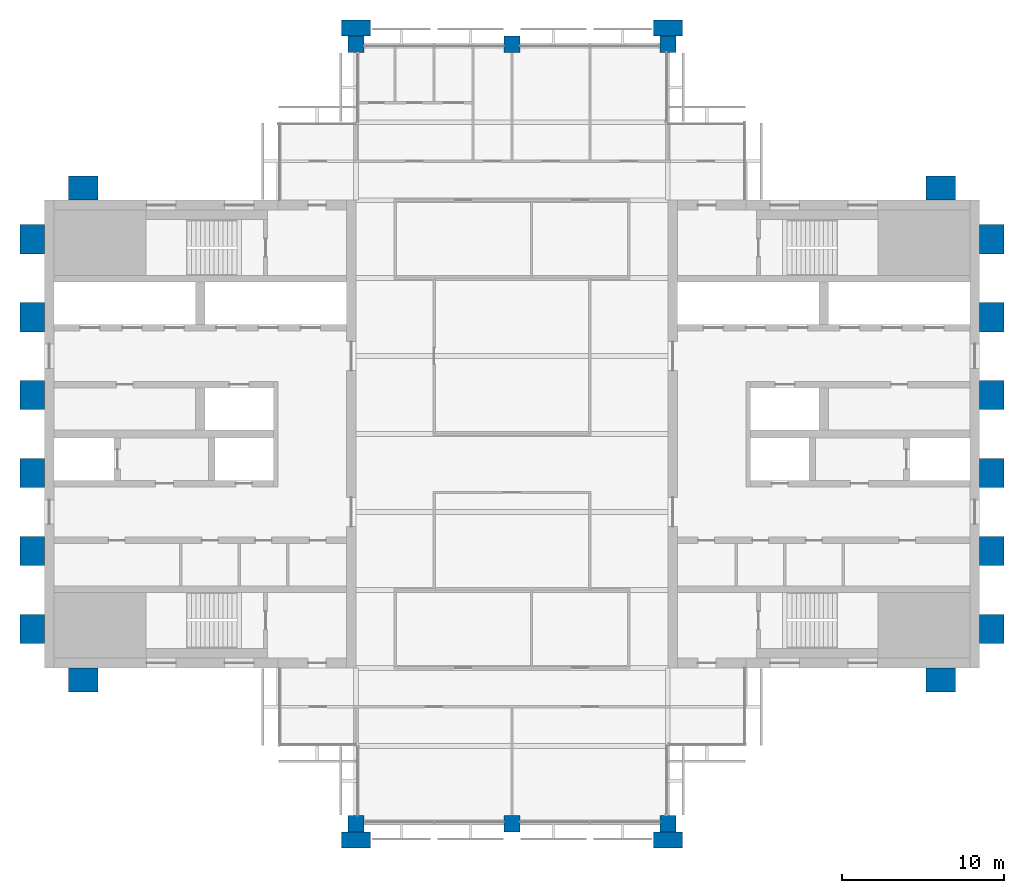
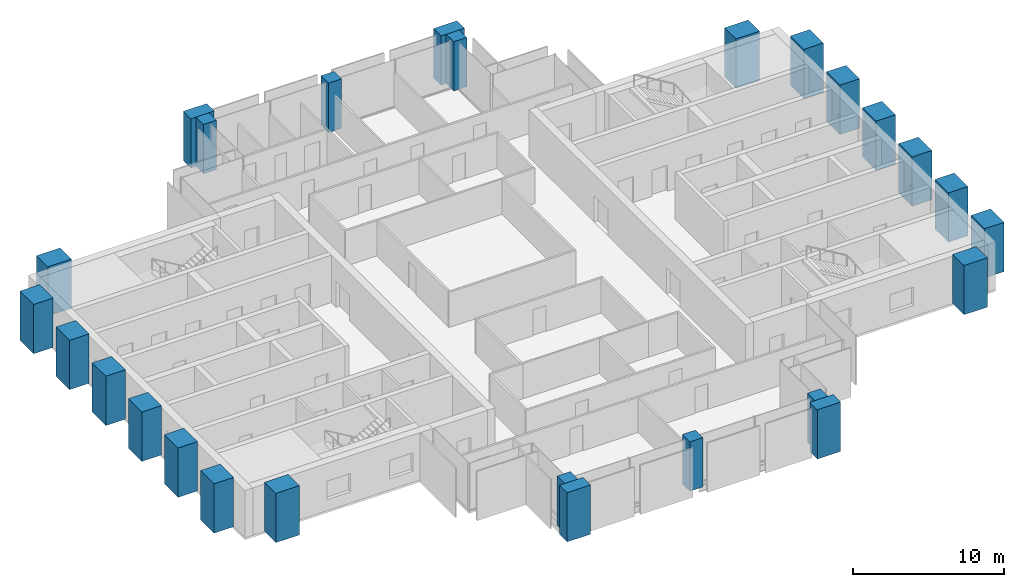
# One storey, part 1 of 13: 26 columns.
"""IFC4 building model written with IfcOpenShell, lengths in metres."""

from ifc_helpers import new_model, si_unit, direction, frame, origin, origin_2d, place, context, subcontext, project, spatial, rectangle, extrude, material, material_profile, profile_set, type_object, element, save


model = new_model("IFC4")

# Units and contexts
model_context = context("Model", 3, precision=1e-05, world=origin(), true_north=direction((0.0, 1.0)))
body_context = subcontext(model_context, "Body", "Model", "MODEL_VIEW")
ifc_project = project(units=[si_unit("LENGTHUNIT", "METRE"), si_unit("AREAUNIT", "SQUARE_METRE"), si_unit("VOLUMEUNIT", "CUBIC_METRE"), si_unit("PLANEANGLEUNIT", "RADIAN"), si_unit("MASSUNIT", "GRAM", prefix="KILO")], contexts=[model_context])

# Site, building, storey
site_placement = place(None, origin())
site = spatial("IfcSite", under=ifc_project, at=site_placement, CompositionType="ELEMENT")
building_placement = place(site_placement, origin())
building = spatial("IfcBuilding", under=site, at=building_placement, Name="Baori Bourse Tower", CompositionType="ELEMENT")
storey_placement = place(building_placement, frame((0.0, 0.0, 346.300048828125)))
storey = spatial("IfcBuildingStorey", under=building, at=storey_placement, Name="L77", CompositionType="ELEMENT", Elevation=346.300048828125)

# Columns
ifc_material_1 = material(Name="Concrete f'c 60 MPa", Category="concrete")
ifc_material_profile_1 = material_profile(ifc_material_1, rectangle(XDim=1.800048828125, YDim=1.0, at=origin_2d()), Name="RC 1800x1000")
ifc_profile_set_1 = profile_set([ifc_material_profile_1], Name="Concrete f'c 60 MPa")
column_type_1 = type_object("IfcColumnType", Name="FN3 Brick pilaster 1800x1000", PredefinedType="PILASTER", material=ifc_profile_set_1)
for number, where, z_axis, x_axis, name in (
    (1, (19.199951171875, -1.0, 0.0), (0.0, 0.0, 1.0), (1.0, 0.0, 0.0), "Brick pilaster L77 17"),
    (2, (38.39990234375, -1.0, 0.0), (0.0, 0.0, 1.0), (1.0, 0.0, 0.0), "Brick pilaster L77 18"),
    (3, (19.199951171875, 49.0, 0.0), (0.0, 0.0, 1.0), (1.0, 0.0, 0.0), "Brick pilaster L77 19"),
    (4, (38.39990234375, 49.0, 0.0), (0.0, 0.0, 1.0), (1.0, 0.0, 0.0), "Brick pilaster L77 20"),
):
    element("IfcColumn", number, at=place(storey_placement, frame(where, z_axis=z_axis, x_axis=x_axis)), inside=storey, type_object=column_type_1, Name=name, PredefinedType="PILASTER", context=body_context, shape_type="SweptSolid", body=[
        extrude(rectangle(XDim=1.800048828125, YDim=1.0, at=origin_2d()), origin(), (0.0, 0.0, 1.0), 4.0),
    ])
ifc_material_2 = material(Name="Concrete f'c 60 MPa", Category="concrete")
ifc_material_profile_2 = material_profile(ifc_material_2, rectangle(XDim=1.800048828125, YDim=1.5, at=origin_2d()), Name="RC 1800x1500")
ifc_profile_set_2 = profile_set([ifc_material_profile_2], Name="Concrete f'c 60 MPa")
column_type_2 = type_object("IfcColumnType", Name="FN4 Brick flank pilaster 1800x1500", PredefinedType="PILASTER", material=ifc_profile_set_2)
for number, where, z_axis, x_axis, name in (
    (5, (55.199951171875, 8.85009765625, 0.0), (0.0, 0.0, 1.0), (1.0, 0.0, 0.0), "Brick pilaster L77 1"),
    (6, (58.35009765625, 12.0, 0.0), (0.0, 0.0, 1.0), (0.0, 1.0, 0.0), "Brick pilaster L77 2"),
    (7, (58.35009765625, 16.800048828125, 0.0), (0.0, 0.0, 1.0), (0.0, 1.0, 0.0), "Brick pilaster L77 3"),
    (8, (58.35009765625, 21.60009765625, 0.0), (0.0, 0.0, 1.0), (0.0, 1.0, 0.0), "Brick pilaster L77 4"),
    (9, (58.35009765625, 26.39990234375, 0.0), (0.0, 0.0, 1.0), (0.0, 1.0, 0.0), "Brick pilaster L77 5"),
    (10, (58.35009765625, 31.199951171875, 0.0), (0.0, 0.0, 1.0), (0.0, 1.0, 0.0), "Brick pilaster L77 6"),
    (11, (58.35009765625, 36.0, 0.0), (0.0, 0.0, 1.0), (0.0, 1.0, 0.0), "Brick pilaster L77 7"),
    (12, (55.199951171875, 39.14990234375, 0.0), (0.0, 0.0, 1.0), (1.0, 0.0, 0.0), "Brick pilaster L77 8"),
    (13, (2.39990234375, 39.14990234375, 0.0), (0.0, 0.0, 1.0), (1.0, 0.0, 0.0), "Brick pilaster L77 9"),
    (14, (-0.75, 12.0, 0.0), (0.0, 0.0, 1.0), (0.0, 1.0, 0.0), "Brick pilaster L77 10"),
    (15, (-0.75, 16.800048828125, 0.0), (0.0, 0.0, 1.0), (0.0, 1.0, 0.0), "Brick pilaster L77 11"),
    (16, (-0.75, 21.60009765625, 0.0), (0.0, 0.0, 1.0), (0.0, 1.0, 0.0), "Brick pilaster L77 12"),
    (17, (-0.75, 26.39990234375, 0.0), (0.0, 0.0, 1.0), (0.0, 1.0, 0.0), "Brick pilaster L77 13"),
    (18, (-0.75, 31.199951171875, 0.0), (0.0, 0.0, 1.0), (0.0, 1.0, 0.0), "Brick pilaster L77 14"),
    (19, (-0.75, 36.0, 0.0), (0.0, 0.0, 1.0), (0.0, 1.0, 0.0), "Brick pilaster L77 15"),
    (20, (2.39990234375, 8.85009765625, 0.0), (0.0, 0.0, 1.0), (1.0, 0.0, 0.0), "Brick pilaster L77 16"),
):
    element("IfcColumn", number, at=place(storey_placement, frame(where, z_axis=z_axis, x_axis=x_axis)), inside=storey, type_object=column_type_2, Name=name, PredefinedType="PILASTER", context=body_context, shape_type="SweptSolid", body=[
        extrude(rectangle(XDim=1.800048828125, YDim=1.5, at=origin_2d()), origin(), (0.0, 0.0, 1.0), 4.0),
    ])
ifc_material_3 = material(Name="Concrete f'c 40 MPa", Category="concrete")
ifc_material_profile_3 = material_profile(ifc_material_3, rectangle(XDim=1.0, YDim=1.0, at=origin_2d()), Name="RC 1000x1000")
ifc_profile_set_3 = profile_set([ifc_material_profile_3], Name="Concrete f'c 40 MPa")
column_type_3 = type_object("IfcColumnType", Name="Perimeter column 40 RC 1000x1000", PredefinedType="COLUMN", material=ifc_profile_set_3)
for number, where, z_axis, x_axis, name in (
    (21, (19.199951171875, 0.0, 0.0), (0.0, 0.0, 1.0), (1.0, 0.0, 0.0), "Perimeter column L77"),
    (22, (28.800048828125, 0.0, 0.0), (0.0, 0.0, 1.0), (1.0, 0.0, 0.0), "Perimeter column L77"),
    (23, (38.39990234375, 0.0, 0.0), (0.0, 0.0, 1.0), (1.0, 0.0, 0.0), "Perimeter column L77"),
    (24, (19.199951171875, 48.0, 0.0), (0.0, 0.0, 1.0), (1.0, 0.0, 0.0), "Perimeter column L77"),
    (25, (28.800048828125, 48.0, 0.0), (0.0, 0.0, 1.0), (1.0, 0.0, 0.0), "Perimeter column L77"),
    (26, (38.39990234375, 48.0, 0.0), (0.0, 0.0, 1.0), (1.0, 0.0, 0.0), "Perimeter column L77"),
):
    element("IfcColumn", number, at=place(storey_placement, frame(where, z_axis=z_axis, x_axis=x_axis)), inside=storey, type_object=column_type_3, Name=name, PredefinedType="COLUMN", context=body_context, shape_type="SweptSolid", body=[
        extrude(rectangle(XDim=1.0, YDim=1.0, at=origin_2d()), origin(), (0.0, 0.0, 1.0), 4.0),
    ])

save(model, "model.ifc")
